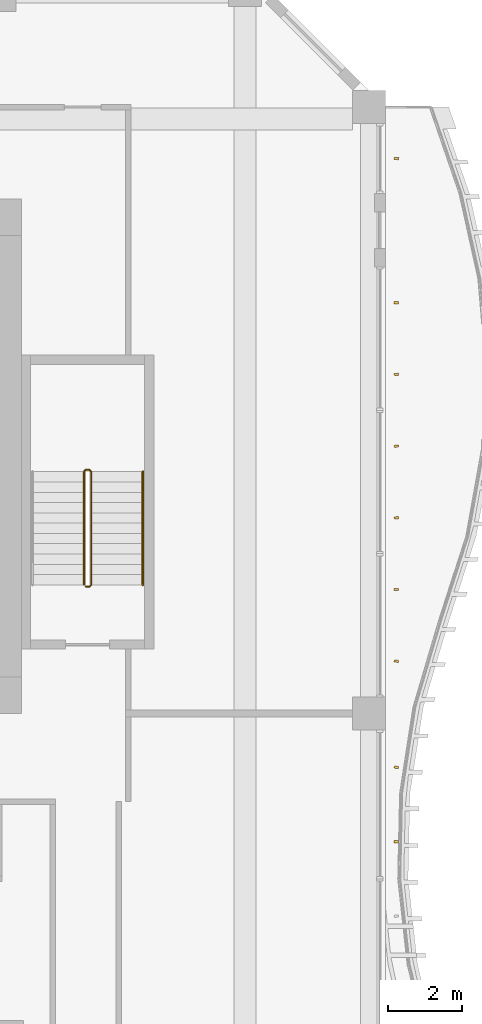
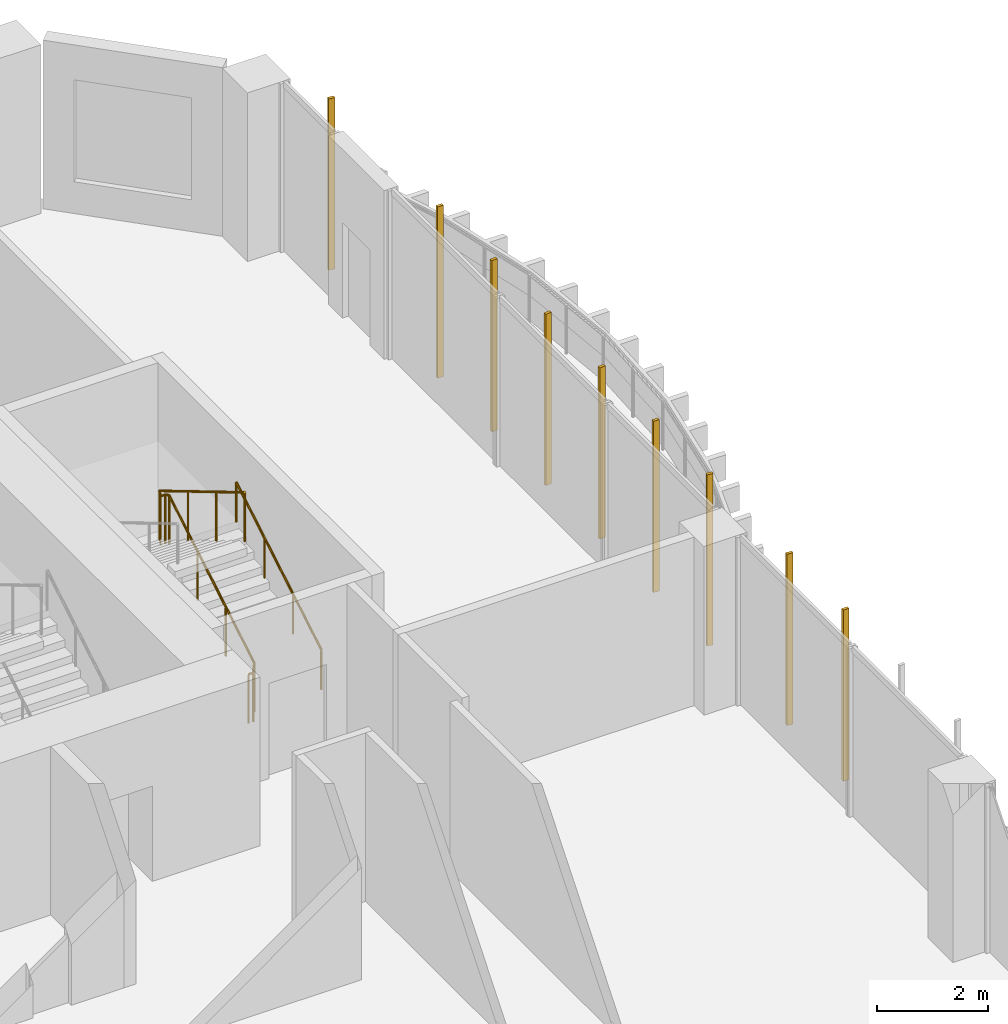
# One storey, part 24 of 24: 9 shading devices, 2 railings.
"""IFC4 building model written with IfcOpenShell, lengths in metres."""

from ifc_helpers import new_model, si_unit, direction, frame, origin, origin_2d, place, context, subcontext, project, spatial, rectangle, circle, extrude, source, transform, mapped, material, material_profile, profile_set, type_object, element, save


model = new_model("IFC4")

# Units and contexts
model_context = context("Model", 3, precision=1e-05, world=origin(), true_north=direction((0.0, 1.0)))
body_context = subcontext(model_context, "Body", "Model", "MODEL_VIEW")
ifc_project = project(units=[si_unit("LENGTHUNIT", "METRE"), si_unit("AREAUNIT", "SQUARE_METRE"), si_unit("VOLUMEUNIT", "CUBIC_METRE"), si_unit("PLANEANGLEUNIT", "RADIAN"), si_unit("MASSUNIT", "GRAM", prefix="KILO")], contexts=[model_context])

# Site, building, storey
site_placement = place(None, origin())
site = spatial("IfcSite", under=ifc_project, at=site_placement, CompositionType="ELEMENT")
building_placement = place(site_placement, origin())
building = spatial("IfcBuilding", under=site, at=building_placement, Name="Kilnfold Tower and Market Hall", CompositionType="ELEMENT")
storey_placement = place(building_placement, frame((0.0, 0.0, 35.0)))
storey = spatial("IfcBuildingStorey", under=building, at=storey_placement, Name="L07", CompositionType="ELEMENT", Elevation=35.0)

# Railings
ifc_material_1 = material(Name="Stainless steel 316", Category="steel")
railing_type_1 = type_object("IfcRailingType", Name="CORE STAIR GUARD 1100", PredefinedType="GUARDRAIL", material=ifc_material_1)
railing_1_placement = place(storey_placement, frame((19.85009765625, 11.449951171875, 0.0)))
element("IfcRailing", 1, at=railing_1_placement, inside=storey, type_object=railing_type_1, Name="L07 ST5 stair guard 1", PredefinedType="GUARDRAIL", context=body_context, shape_type="SweptSolid", body=[
    extrude(circle(Radius=0.02392578125, at=origin_2d()), frame((0.0, 0.0, 1.076171875), z_axis=(1.0, 0.0, 0.0), x_axis=(0.0, 1.0, 0.0)), (0.0, 0.0, 1.0), 0.099853515625),
    extrude(circle(Radius=0.02392578125, at=origin_2d()), frame((0.099853515625, 0.0, 1.076171875), z_axis=(0.27628659633, 0.27628659633, 0.920506074601), x_axis=(-0.707106781187, 0.707106781187, 0.0)), (0.0, 0.0, 1.0), 0.18115234375),
    extrude(circle(Radius=0.02392578125, at=origin_2d()), frame((0.14990234375, 0.050048828125, 1.24267578125), z_axis=(0.0, 0.859308565015, 0.511457515432), x_axis=(-1.0, 0.0, 0.0)), (0.0, 0.0, 1.0), 3.58447265625),
    extrude(circle(Radius=0.02392578125, at=origin_2d()), frame((0.14990234375, 3.130126953125, 3.076171875), z_axis=(-0.708833529934, 0.705375805398, 0.0), x_axis=(-0.705375805398, -0.708833529934, 0.0)), (0.0, 0.0, 1.0), 0.070556640625),
    extrude(circle(Radius=0.02392578125, at=origin_2d()), frame((0.099853515625, 3.179931640625, 3.076171875), z_axis=(-1.0, 0.0, 0.0), x_axis=(0.0, -1.0, 0.0)), (0.0, 0.0, 1.0), 0.099853515625),
    extrude(circle(Radius=0.02392578125, at=origin_2d()), frame((0.0, 3.179931640625, 3.076171875), z_axis=(-0.276389281352, -0.275041040955, 0.920848191041), x_axis=(0.705375805398, -0.708833529934, 0.0)), (0.0, 0.0, 1.0), 0.18115234375),
    extrude(circle(Radius=0.02392578125, at=origin_2d()), frame((-0.050048828125, 3.130126953125, 3.24267578125), z_axis=(0.0, -0.859308565015, 0.511457515432), x_axis=(1.0, 0.0, 0.0)), (0.0, 0.0, 1.0), 3.58447265625),
    extrude(circle(Radius=0.02099609375, at=origin_2d()), origin(), (0.0, 0.0, 1.0), 1.052001953125),
    extrude(circle(Radius=0.02099609375, at=origin_2d()), frame((0.099853515625, 0.0, 0.0)), (0.0, 0.0, 1.0), 1.052001953125),
    extrude(circle(Radius=0.02099609375, at=origin_2d()), frame((0.14990234375, 0.050048828125, 0.166748046875)), (0.0, 0.0, 1.0), 1.052001953125),
    extrude(circle(Radius=0.02099609375, at=origin_2d()), frame((0.14990234375, 1.07666015625, 0.77783203125)), (0.0, 0.0, 1.0), 1.052001953125),
    extrude(circle(Radius=0.02099609375, at=origin_2d()), frame((0.14990234375, 2.103515625, 1.388916015625)), (0.0, 0.0, 1.0), 1.052001953125),
    extrude(circle(Radius=0.02099609375, at=origin_2d()), frame((0.14990234375, 3.130126953125, 2.0)), (0.0, 0.0, 1.0), 1.052001953125),
    extrude(circle(Radius=0.02099609375, at=origin_2d()), frame((0.099853515625, 3.179931640625, 2.0)), (0.0, 0.0, 1.0), 1.052001953125),
    extrude(circle(Radius=0.02099609375, at=origin_2d()), frame((0.0, 3.179931640625, 2.0)), (0.0, 0.0, 1.0), 1.052001953125),
    extrude(circle(Radius=0.02099609375, at=origin_2d()), frame((-0.050048828125, 3.130126953125, 2.166748046875)), (0.0, 0.0, 1.0), 1.052001953125),
    extrude(circle(Radius=0.02099609375, at=origin_2d()), frame((-0.050048828125, 2.103515625, 2.77783203125)), (0.0, 0.0, 1.0), 1.052001953125),
    extrude(circle(Radius=0.02099609375, at=origin_2d()), frame((-0.050048828125, 1.07666015625, 3.388916015625)), (0.0, 0.0, 1.0), 1.052001953125),
    extrude(circle(Radius=0.02099609375, at=origin_2d()), frame((-0.050048828125, 0.050048828125, 4.0)), (0.0, 0.0, 1.0), 1.052001953125),
])
ifc_material_2 = material(Name="Stainless steel 316", Category="steel")
railing_type_2 = type_object("IfcRailingType", Name="CORE STAIR HANDRAIL 900", PredefinedType="HANDRAIL", material=ifc_material_2)
railing_2_placement = place(storey_placement, frame((21.39990234375, 11.5, 0.166748046875)))
element("IfcRailing", 2, at=railing_2_placement, inside=storey, type_object=railing_type_2, Name="L07 ST5 stair handrail 1", PredefinedType="HANDRAIL", context=body_context, shape_type="SweptSolid", body=[
    extrude(circle(Radius=0.02392578125, at=origin_2d()), frame((0.0, 0.0, 0.8759765625), z_axis=(0.0, 0.859308565015, 0.511457515432), x_axis=(-1.0, 0.0, 0.0)), (0.0, 0.0, 1.0), 3.58447265625),
    extrude(circle(Radius=0.02099609375, at=origin_2d()), origin(), (0.0, 0.0, 1.0), 0.851806640625),
    extrude(circle(Radius=0.02099609375, at=origin_2d()), frame((0.0, 1.026611328125, 0.611083984375)), (0.0, 0.0, 1.0), 0.851806640625),
    extrude(circle(Radius=0.02099609375, at=origin_2d()), frame((0.0, 2.053466796875, 1.22216796875)), (0.0, 0.0, 1.0), 0.851806640625),
    extrude(circle(Radius=0.02099609375, at=origin_2d()), frame((0.0, 3.080078125, 1.833251953125)), (0.0, 0.0, 1.0), 0.851806640625),
])

# Shading devices
ifc_material_3 = material(Name="Terracotta", Category="masonry")
ifc_material_profile = material_profile(ifc_material_3, rectangle(XDim=0.06005859375, YDim=0.1201171875, at=origin_2d()), Name="BAG 60x120")
ifc_profile_set = profile_set([ifc_material_profile], Name="Terracotta")
shading_device_type = type_object("IfcShadingDeviceType", Name="BAGUETTE", PredefinedType="USERDEFINED", material=ifc_profile_set)
shared_shape = source(origin(), body_context, "Body", "SweptSolid", [
    extrude(rectangle(XDim=0.06005859375, YDim=0.1201171875, at=origin_2d()), origin(), (0.0, 0.0, 1.0), 3.780029296875),
])
for number, where, z_axis, x_axis, name in (
    (3, (28.300048828125, 4.512451171875, 0.0), (0.0, 0.0, 1.0), (-0.014993561771, 0.999887590235, 0.0), "Terracotta baguette L07 E"),
    (4, (28.300048828125, 6.53759765625, 0.0), (0.0, 0.0, 1.0), (0.10011165322, 0.994976209208, 0.0), "Terracotta baguette L07 E"),
    (5, (28.300048828125, 9.425048828125, 0.0), (0.0, 0.0, 1.0), (0.120436588452, 0.992721022323, 0.0), "Terracotta baguette L07 E"),
    (6, (28.300048828125, 11.375, 0.0), (0.0, 0.0, 1.0), (0.023524867923, 0.999723252, 0.0), "Terracotta baguette L07 E"),
    (7, (28.300048828125, 13.324951171875, 0.0), (0.0, 0.0, 1.0), (-0.090448335154, 0.995901149044, 0.0), "Terracotta baguette L07 E"),
    (8, (28.300048828125, 15.27490234375, 0.0), (0.0, 0.0, 1.0), (-0.139166187581, 0.990269040329, 0.0), "Terracotta baguette L07 E"),
    (9, (28.300048828125, 17.22509765625, 0.0), (0.0, 0.0, 1.0), (-0.088268448302, 0.99609672273, 0.0), "Terracotta baguette L07 E"),
    (10, (28.300048828125, 19.175048828125, 0.0), (0.0, 0.0, 1.0), (0.026328739617, 0.999653338648, 0.0), "Terracotta baguette L07 E"),
    (11, (28.300048828125, 23.10009765625, 0.0), (0.0, 0.0, 1.0), (0.129278472449, 0.991608328203, 0.0), "Terracotta baguette L07 E"),
):
    element("IfcShadingDevice", number, at=place(storey_placement, frame(where, z_axis=z_axis, x_axis=x_axis)), inside=storey, type_object=shading_device_type, Name=name, ObjectType="BAGUETTE", PredefinedType="USERDEFINED", context=body_context, shape_type="MappedRepresentation", body=[
        mapped(shared_shape, transform((0.0, 0.0, 0.0))),
    ])

save(model, "model.ifc")
